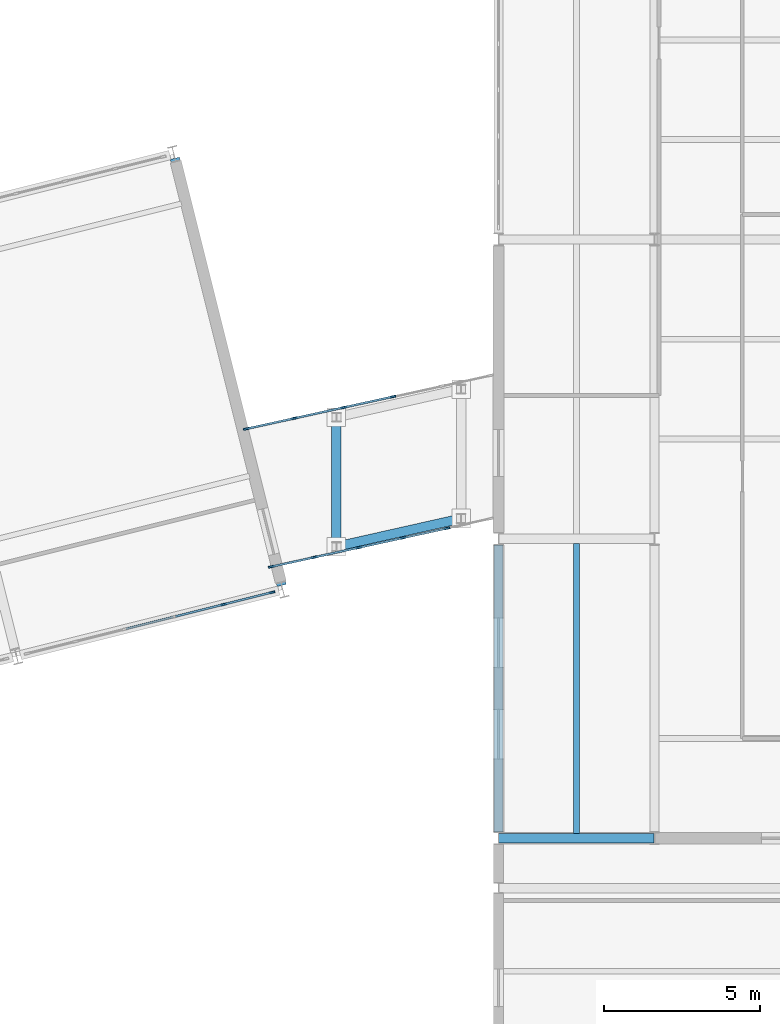
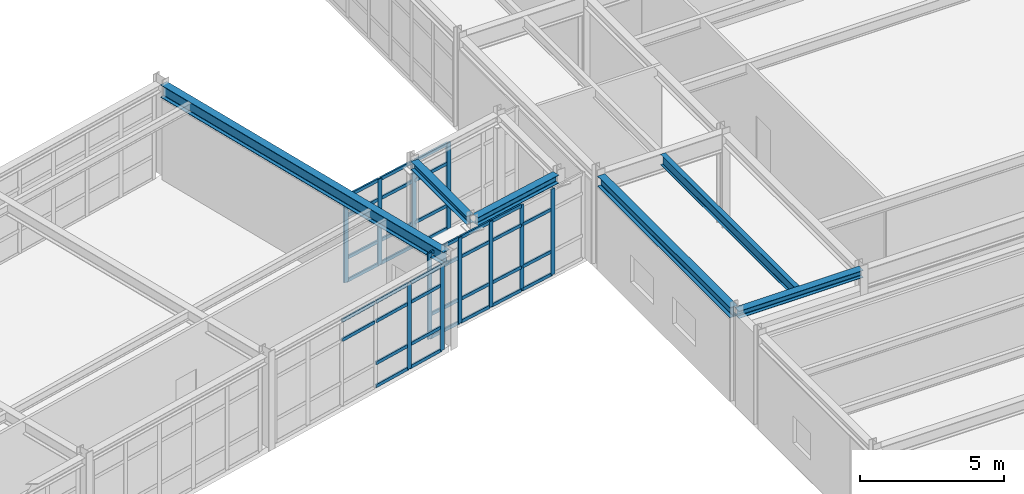
# One storey, part 32 of 99: 48 members, 6 beams, 3 elements without a shape of their own.
"""IFC4 building model written with IfcOpenShell, lengths in metres."""

from ifc_helpers import new_model, si_unit, direction, frame, origin, origin_2d, place, context, subcontext, project, spatial, rectangle, i_section, extrude, material, layer, layer_set, material_profile, profile_set, type_object, element, aggregate, save


model = new_model("IFC4")

# Units and contexts
model_context = context("Model", 3, precision=1e-05, world=origin(), true_north=direction((0.0, 1.0)))
body_context = subcontext(model_context, "Body", "Model", "MODEL_VIEW")
ifc_project = project(units=[si_unit("LENGTHUNIT", "METRE"), si_unit("AREAUNIT", "SQUARE_METRE"), si_unit("VOLUMEUNIT", "CUBIC_METRE"), si_unit("PLANEANGLEUNIT", "RADIAN"), si_unit("MASSUNIT", "GRAM", prefix="KILO")], contexts=[model_context])

# Site, building, storey
site_placement = place(None, origin())
site = spatial("IfcSite", under=ifc_project, at=site_placement, CompositionType="ELEMENT")
building_placement = place(site_placement, origin())
building = spatial("IfcBuilding", under=site, at=building_placement, Name="Nordkorset Police Headquarters", CompositionType="ELEMENT")
storey_placement = place(building_placement, frame((0.0, 0.0, 5.25)))
storey = spatial("IfcBuildingStorey", under=building, at=storey_placement, Name="L01", CompositionType="ELEMENT", Elevation=5.25)

# Beam
ifc_material_1 = material(Name="Steel S355J2", Category="steel")
ifc_material_profile_1 = material_profile(ifc_material_1, i_section(OverallWidth=0.18994140625, OverallDepth=0.449951171875, WebThickness=0.009521484375, FlangeThickness=0.0146484375, FilletRadius=0.02099609375, at=origin_2d()), Name="IPE 450")
ifc_profile_set_1 = profile_set([ifc_material_profile_1], Name="Steel S355J2")
beam_type_1 = type_object("IfcBeamType", Name="Beam_IPE_450", PredefinedType="BEAM", material=ifc_profile_set_1)
beam_1_placement = place(storey_placement, frame((88.89990234375, 48.14990234375, 3.735107421875), z_axis=(0.0, 1.0, 0.0), x_axis=(-1.0, 0.0, 0.0)))
element("IfcBeam", 1, at=beam_1_placement, inside=storey, type_object=beam_type_1, Name="Composite Floor Beam V5 L01 0-0-1", PredefinedType="BEAM", context=body_context, shape_type="SweptSolid", body=[
    extrude(i_section(OverallWidth=0.18994140625, OverallDepth=0.449951171875, WebThickness=0.009521484375, FlangeThickness=0.0146484375, FilletRadius=0.02099609375, at=origin_2d()), origin(), (0.0, 0.0, 1.0), 9.300048828125),
])

# Curtain wall, members
ifc_material_2 = material(Name="Aluminium alloy AW-6060", Category="aluminium")
ifc_layer_1 = layer(ifc_material_2, 0.179931640625, Name="Aluminium alloy AW-6060")
ifc_layer_set_1 = layer_set([ifc_layer_1], Name="Aluminium alloy AW-6060")
curtain_wall_type_1 = type_object("IfcCurtainWallType", Name="CW_Unit_816x363", PredefinedType="USERDEFINED", material=ifc_layer_set_1)
curtain_wall_1_placement = place(storey_placement, origin())
curtain_wall_1 = element("IfcCurtainWall", 2, at=curtain_wall_1_placement, inside=storey, type_object=curtain_wall_type_1, Name="Unitised Curtain Wall L01 V4S-5", ObjectType="UNITISED CURTAIN WALL", PredefinedType="USERDEFINED")
ifc_material_3 = material(Name="Aluminium alloy AW-6060", Category="aluminium")
ifc_material_profile_2 = material_profile(ifc_material_3, rectangle(XDim=0.06494140625, YDim=0.179931640625, at=origin_2d()), Name="ALU MULL 65x180")
ifc_profile_set_2 = profile_set([ifc_material_profile_2], Name="Aluminium alloy AW-6060")
member_type_1 = type_object("IfcMemberType", Name="CW_Mullion_65x180", PredefinedType="MULLION", material=ifc_profile_set_2)
member_1_placement = place(storey_placement, frame((77.58642578125, 55.49658203125, 0.0), z_axis=(0.0, 0.0, 1.0), x_axis=(-0.242535625038, 0.970142500145, 0.0)))
member_1 = element("IfcMember", 3, at=member_1_placement, type_object=member_type_1, Name="CW-34 mullion 5", PredefinedType="MULLION", context=body_context, shape_type="SweptSolid", body=[
    extrude(rectangle(XDim=0.06494140625, YDim=0.179931640625, at=origin_2d()), origin(), (0.0, 0.0, 1.0), 3.6298828125),
])
member_2_placement = place(storey_placement, frame((79.13818359375, 55.884521484375, 0.0), z_axis=(0.0, 0.0, 1.0), x_axis=(-0.242535625038, 0.970142500145, 0.0)))
member_2 = element("IfcMember", 4, at=member_2_placement, type_object=member_type_1, Name="CW-34 mullion 6", PredefinedType="MULLION", context=body_context, shape_type="SweptSolid", body=[
    extrude(rectangle(XDim=0.06494140625, YDim=0.179931640625, at=origin_2d()), origin(), (0.0, 0.0, 1.0), 3.6298828125),
])

ifc_material_4 = material(Name="Aluminium alloy AW-6060", Category="aluminium")
ifc_layer_2 = layer(ifc_material_4, 0.179931640625, Name="Aluminium alloy AW-6060")
ifc_layer_set_2 = layer_set([ifc_layer_2], Name="Aluminium alloy AW-6060")
curtain_wall_type_2 = type_object("IfcCurtainWallType", Name="CW_Unit_727x364", PredefinedType="USERDEFINED", material=ifc_layer_set_2)
curtain_wall_2_placement = place(storey_placement, origin())
curtain_wall_2 = element("IfcCurtainWall", 5, at=curtain_wall_2_placement, inside=storey, type_object=curtain_wall_type_2, Name="Unitised Curtain Wall L01 BRGE-S", ObjectType="UNITISED CURTAIN WALL", PredefinedType="USERDEFINED")
member_3_placement = place(storey_placement, frame((79.107666015625, 56.705322265625, 0.0), z_axis=(0.0, 0.0, 1.0), x_axis=(-0.213736608425, 0.976891325695, 0.0)))
member_3 = element("IfcMember", 6, at=member_3_placement, type_object=member_type_1, Name="CW-07 mullion 1", PredefinedType="MULLION", context=body_context, shape_type="SweptSolid", body=[
    extrude(rectangle(XDim=0.06494140625, YDim=0.179931640625, at=origin_2d()), origin(), (0.0, 0.0, 1.0), 3.635009765625),
])
member_4_placement = place(storey_placement, frame((80.49560546875, 57.009033203125, 0.0), z_axis=(0.0, 0.0, 1.0), x_axis=(-0.213736608425, 0.976891325695, 0.0)))
member_4 = element("IfcMember", 7, at=member_4_placement, type_object=member_type_1, Name="CW-07 mullion 2", PredefinedType="MULLION", context=body_context, shape_type="SweptSolid", body=[
    extrude(rectangle(XDim=0.06494140625, YDim=0.179931640625, at=origin_2d()), origin(), (0.0, 0.0, 1.0), 3.635009765625),
])
member_5_placement = place(storey_placement, frame((81.915283203125, 57.319580078125, 0.0), z_axis=(0.0, 0.0, 1.0), x_axis=(-0.213736608425, 0.976891325695, 0.0)))
member_5 = element("IfcMember", 8, at=member_5_placement, type_object=member_type_1, Name="CW-07 mullion 3", PredefinedType="MULLION", context=body_context, shape_type="SweptSolid", body=[
    extrude(rectangle(XDim=0.06494140625, YDim=0.179931640625, at=origin_2d()), origin(), (0.0, 0.0, 1.0), 3.635009765625),
])
member_6_placement = place(storey_placement, frame((83.334716796875, 57.63037109375, 0.0), z_axis=(0.0, 0.0, 1.0), x_axis=(-0.213736608425, 0.976891325695, 0.0)))
member_6 = element("IfcMember", 9, at=member_6_placement, type_object=member_type_1, Name="CW-07 mullion 4", PredefinedType="MULLION", context=body_context, shape_type="SweptSolid", body=[
    extrude(rectangle(XDim=0.06494140625, YDim=0.179931640625, at=origin_2d()), origin(), (0.0, 0.0, 1.0), 3.635009765625),
])
member_7_placement = place(storey_placement, frame((84.75439453125, 57.94091796875, 0.0), z_axis=(0.0, 0.0, 1.0), x_axis=(-0.213736608425, 0.976891325695, 0.0)))
member_7 = element("IfcMember", 10, at=member_7_placement, type_object=member_type_1, Name="CW-07 mullion 5", PredefinedType="MULLION", context=body_context, shape_type="SweptSolid", body=[
    extrude(rectangle(XDim=0.06494140625, YDim=0.179931640625, at=origin_2d()), origin(), (0.0, 0.0, 1.0), 3.635009765625),
])

ifc_material_5 = material(Name="Aluminium alloy AW-6060", Category="aluminium")
ifc_layer_3 = layer(ifc_material_5, 0.179931640625, Name="Aluminium alloy AW-6060")
ifc_layer_set_3 = layer_set([ifc_layer_3], Name="Aluminium alloy AW-6060")
curtain_wall_type_3 = type_object("IfcCurtainWallType", Name="CW_Unit_809x364", PredefinedType="USERDEFINED", material=ifc_layer_set_3)
curtain_wall_3_placement = place(storey_placement, origin())
curtain_wall_3 = element("IfcCurtainWall", 11, at=curtain_wall_3_placement, inside=storey, type_object=curtain_wall_type_3, Name="Unitised Curtain Wall L01 BRGE-N", ObjectType="UNITISED CURTAIN WALL", PredefinedType="USERDEFINED")
member_8_placement = place(storey_placement, frame((78.3076171875, 61.12548828125, 0.0), z_axis=(0.0, 0.0, 1.0), x_axis=(-0.214298001706, 0.976768327939, 0.0)))
member_8 = element("IfcMember", 12, at=member_8_placement, type_object=member_type_1, Name="CW-40 mullion 1", PredefinedType="MULLION", context=body_context, shape_type="SweptSolid", body=[
    extrude(rectangle(XDim=0.06494140625, YDim=0.179931640625, at=origin_2d()), origin(), (0.0, 0.0, 1.0), 3.635009765625),
])
member_9_placement = place(storey_placement, frame((79.85546875, 61.465087890625, 0.0), z_axis=(0.0, 0.0, 1.0), x_axis=(-0.214298001706, 0.976768327939, 0.0)))
member_9 = element("IfcMember", 13, at=member_9_placement, type_object=member_type_1, Name="CW-40 mullion 2", PredefinedType="MULLION", context=body_context, shape_type="SweptSolid", body=[
    extrude(rectangle(XDim=0.06494140625, YDim=0.179931640625, at=origin_2d()), origin(), (0.0, 0.0, 1.0), 3.635009765625),
])
member_10_placement = place(storey_placement, frame((81.43505859375, 61.811767578125, 0.0), z_axis=(0.0, 0.0, 1.0), x_axis=(-0.214298001706, 0.976768327939, 0.0)))
member_10 = element("IfcMember", 14, at=member_10_placement, type_object=member_type_1, Name="CW-40 mullion 3", PredefinedType="MULLION", context=body_context, shape_type="SweptSolid", body=[
    extrude(rectangle(XDim=0.06494140625, YDim=0.179931640625, at=origin_2d()), origin(), (0.0, 0.0, 1.0), 3.635009765625),
])
member_11_placement = place(storey_placement, frame((83.014892578125, 62.158203125, 0.0), z_axis=(0.0, 0.0, 1.0), x_axis=(-0.214298001706, 0.976768327939, 0.0)))
member_11 = element("IfcMember", 15, at=member_11_placement, type_object=member_type_1, Name="CW-40 mullion 4", PredefinedType="MULLION", context=body_context, shape_type="SweptSolid", body=[
    extrude(rectangle(XDim=0.06494140625, YDim=0.179931640625, at=origin_2d()), origin(), (0.0, 0.0, 1.0), 3.635009765625),
])

# Member
ifc_material_6 = material(Name="Aluminium alloy AW-6060", Category="aluminium")
ifc_material_profile_3 = material_profile(ifc_material_6, rectangle(XDim=0.06494140625, YDim=0.139892578125, at=origin_2d()), Name="ALU TRAN 65x140")
ifc_profile_set_3 = profile_set([ifc_material_profile_3], Name="Aluminium alloy AW-6060")
member_type_2 = type_object("IfcMemberType", Name="CW_Transom_65x140", PredefinedType="USERDEFINED", material=ifc_profile_set_3)
member_12_placement = place(storey_placement, frame((74.451416015625, 54.712890625, 2.780029296875), z_axis=(0.970133335061, 0.24257228243, 0.0), x_axis=(-0.24257228243, 0.970133335061, 0.0)))
member_12 = element("IfcMember", 16, at=member_12_placement, type_object=member_type_2, Name="CW-34 transom 3.3", ObjectType="TRANSOM", PredefinedType="USERDEFINED", context=body_context, shape_type="SweptSolid", body=[
    extrude(rectangle(XDim=0.06494140625, YDim=0.139892578125, at=origin_2d()), origin(), (0.0, 0.0, 1.0), 1.567138671875),
])

member_13_placement = place(storey_placement, frame((74.451416015625, 54.712890625, 3.597412109375), z_axis=(0.970133335061, 0.24257228243, 0.0), x_axis=(-0.24257228243, 0.970133335061, 0.0)))
member_13 = element("IfcMember", 17, at=member_13_placement, type_object=member_type_2, Name="CW-34 transom 3.4", ObjectType="TRANSOM", PredefinedType="USERDEFINED", context=body_context, shape_type="SweptSolid", body=[
    extrude(rectangle(XDim=0.06494140625, YDim=0.139892578125, at=origin_2d()), origin(), (0.0, 0.0, 1.0), 1.567138671875),
])

member_14_placement = place(storey_placement, frame((76.03466796875, 55.108642578125, 0.032470703125), z_axis=(0.970133335061, 0.24257228243, 0.0), x_axis=(-0.24257228243, 0.970133335061, 0.0)))
member_14 = element("IfcMember", 18, at=member_14_placement, type_object=member_type_2, Name="CW-34 transom 4.1", ObjectType="TRANSOM", PredefinedType="USERDEFINED", context=body_context, shape_type="SweptSolid", body=[
    extrude(rectangle(XDim=0.06494140625, YDim=0.139892578125, at=origin_2d()), origin(), (0.0, 0.0, 1.0), 1.567138671875),
])

member_15_placement = place(storey_placement, frame((76.03466796875, 55.108642578125, 1.0), z_axis=(0.970133335061, 0.24257228243, 0.0), x_axis=(-0.24257228243, 0.970133335061, 0.0)))
member_15 = element("IfcMember", 19, at=member_15_placement, type_object=member_type_2, Name="CW-34 transom 4.2", ObjectType="TRANSOM", PredefinedType="USERDEFINED", context=body_context, shape_type="SweptSolid", body=[
    extrude(rectangle(XDim=0.06494140625, YDim=0.139892578125, at=origin_2d()), origin(), (0.0, 0.0, 1.0), 1.567138671875),
])

member_16_placement = place(storey_placement, frame((76.03466796875, 55.108642578125, 2.780029296875), z_axis=(0.970133335061, 0.24257228243, 0.0), x_axis=(-0.24257228243, 0.970133335061, 0.0)))
member_16 = element("IfcMember", 20, at=member_16_placement, type_object=member_type_2, Name="CW-34 transom 4.3", ObjectType="TRANSOM", PredefinedType="USERDEFINED", context=body_context, shape_type="SweptSolid", body=[
    extrude(rectangle(XDim=0.06494140625, YDim=0.139892578125, at=origin_2d()), origin(), (0.0, 0.0, 1.0), 1.567138671875),
])

member_17_placement = place(storey_placement, frame((76.03466796875, 55.108642578125, 3.597412109375), z_axis=(0.970133335061, 0.24257228243, 0.0), x_axis=(-0.24257228243, 0.970133335061, 0.0)))
member_17 = element("IfcMember", 21, at=member_17_placement, type_object=member_type_2, Name="CW-34 transom 4.4", ObjectType="TRANSOM", PredefinedType="USERDEFINED", context=body_context, shape_type="SweptSolid", body=[
    extrude(rectangle(XDim=0.06494140625, YDim=0.139892578125, at=origin_2d()), origin(), (0.0, 0.0, 1.0), 1.567138671875),
])

member_18_placement = place(storey_placement, frame((77.617919921875, 55.50439453125, 0.032470703125), z_axis=(0.970123780922, 0.242610489653, 0.0), x_axis=(-0.242610489653, 0.970123780922, 0.0)))
member_18 = element("IfcMember", 22, at=member_18_placement, type_object=member_type_2, Name="CW-34 transom 5.1", ObjectType="TRANSOM", PredefinedType="USERDEFINED", context=body_context, shape_type="SweptSolid", body=[
    extrude(rectangle(XDim=0.06494140625, YDim=0.139892578125, at=origin_2d()), origin(), (0.0, 0.0, 1.0), 1.53466796875),
])

member_19_placement = place(storey_placement, frame((77.617919921875, 55.50439453125, 1.0), z_axis=(0.970123780922, 0.242610489653, 0.0), x_axis=(-0.242610489653, 0.970123780922, 0.0)))
member_19 = element("IfcMember", 23, at=member_19_placement, type_object=member_type_2, Name="CW-34 transom 5.2", ObjectType="TRANSOM", PredefinedType="USERDEFINED", context=body_context, shape_type="SweptSolid", body=[
    extrude(rectangle(XDim=0.06494140625, YDim=0.139892578125, at=origin_2d()), origin(), (0.0, 0.0, 1.0), 1.53466796875),
])

member_20_placement = place(storey_placement, frame((77.617919921875, 55.50439453125, 2.780029296875), z_axis=(0.970123780922, 0.242610489653, 0.0), x_axis=(-0.242610489653, 0.970123780922, 0.0)))
member_20 = element("IfcMember", 24, at=member_20_placement, type_object=member_type_2, Name="CW-34 transom 5.3", ObjectType="TRANSOM", PredefinedType="USERDEFINED", context=body_context, shape_type="SweptSolid", body=[
    extrude(rectangle(XDim=0.06494140625, YDim=0.139892578125, at=origin_2d()), origin(), (0.0, 0.0, 1.0), 1.53466796875),
])

member_21_placement = place(storey_placement, frame((77.617919921875, 55.50439453125, 3.597412109375), z_axis=(0.970123780922, 0.242610489653, 0.0), x_axis=(-0.242610489653, 0.970123780922, 0.0)))
member_21 = element("IfcMember", 25, at=member_21_placement, type_object=member_type_2, Name="CW-34 transom 5.4", ObjectType="TRANSOM", PredefinedType="USERDEFINED", context=body_context, shape_type="SweptSolid", body=[
    extrude(rectangle(XDim=0.06494140625, YDim=0.139892578125, at=origin_2d()), origin(), (0.0, 0.0, 1.0), 1.53466796875),
])

aggregate(curtain_wall_1, [member_1, member_2, member_12, member_13, member_14, member_15, member_16, member_17, member_18, member_19, member_20, member_21])

member_22_placement = place(storey_placement, frame((79.139404296875, 56.71240234375, 0.032470703125), z_axis=(0.976889443486, 0.213745210953, 0.0), x_axis=(-0.213745210953, 0.976889443486, 0.0)))
member_22 = element("IfcMember", 26, at=member_22_placement, type_object=member_type_2, Name="CW-07 transom 1.1", ObjectType="TRANSOM", PredefinedType="USERDEFINED", context=body_context, shape_type="SweptSolid", body=[
    extrude(rectangle(XDim=0.06494140625, YDim=0.139892578125, at=origin_2d()), origin(), (0.0, 0.0, 1.0), 1.355712890625),
])

member_23_placement = place(storey_placement, frame((79.139404296875, 56.71240234375, 1.0), z_axis=(0.976889443486, 0.213745210953, 0.0), x_axis=(-0.213745210953, 0.976889443486, 0.0)))
member_23 = element("IfcMember", 27, at=member_23_placement, type_object=member_type_2, Name="CW-07 transom 1.2", ObjectType="TRANSOM", PredefinedType="USERDEFINED", context=body_context, shape_type="SweptSolid", body=[
    extrude(rectangle(XDim=0.06494140625, YDim=0.139892578125, at=origin_2d()), origin(), (0.0, 0.0, 1.0), 1.355712890625),
])

member_24_placement = place(storey_placement, frame((79.139404296875, 56.71240234375, 2.784912109375), z_axis=(0.976889443486, 0.213745210953, 0.0), x_axis=(-0.213745210953, 0.976889443486, 0.0)))
member_24 = element("IfcMember", 28, at=member_24_placement, type_object=member_type_2, Name="CW-07 transom 1.3", ObjectType="TRANSOM", PredefinedType="USERDEFINED", context=body_context, shape_type="SweptSolid", body=[
    extrude(rectangle(XDim=0.06494140625, YDim=0.139892578125, at=origin_2d()), origin(), (0.0, 0.0, 1.0), 1.355712890625),
])

member_25_placement = place(storey_placement, frame((79.139404296875, 56.71240234375, 3.6025390625), z_axis=(0.976889443486, 0.213745210953, 0.0), x_axis=(-0.213745210953, 0.976889443486, 0.0)))
member_25 = element("IfcMember", 29, at=member_25_placement, type_object=member_type_2, Name="CW-07 transom 1.4", ObjectType="TRANSOM", PredefinedType="USERDEFINED", context=body_context, shape_type="SweptSolid", body=[
    extrude(rectangle(XDim=0.06494140625, YDim=0.139892578125, at=origin_2d()), origin(), (0.0, 0.0, 1.0), 1.355712890625),
])

member_26_placement = place(storey_placement, frame((80.52734375, 57.01611328125, 0.032470703125), z_axis=(0.976897722399, 0.213707369952, 0.0), x_axis=(-0.213707369952, 0.976897722399, 0.0)))
member_26 = element("IfcMember", 30, at=member_26_placement, type_object=member_type_2, Name="CW-07 transom 2.1", ObjectType="TRANSOM", PredefinedType="USERDEFINED", context=body_context, shape_type="SweptSolid", body=[
    extrude(rectangle(XDim=0.06494140625, YDim=0.139892578125, at=origin_2d()), origin(), (0.0, 0.0, 1.0), 1.387939453125),
])

member_27_placement = place(storey_placement, frame((80.52734375, 57.01611328125, 1.0), z_axis=(0.976897722399, 0.213707369952, 0.0), x_axis=(-0.213707369952, 0.976897722399, 0.0)))
member_27 = element("IfcMember", 31, at=member_27_placement, type_object=member_type_2, Name="CW-07 transom 2.2", ObjectType="TRANSOM", PredefinedType="USERDEFINED", context=body_context, shape_type="SweptSolid", body=[
    extrude(rectangle(XDim=0.06494140625, YDim=0.139892578125, at=origin_2d()), origin(), (0.0, 0.0, 1.0), 1.387939453125),
])

member_28_placement = place(storey_placement, frame((80.52734375, 57.01611328125, 2.784912109375), z_axis=(0.976897722399, 0.213707369952, 0.0), x_axis=(-0.213707369952, 0.976897722399, 0.0)))
member_28 = element("IfcMember", 32, at=member_28_placement, type_object=member_type_2, Name="CW-07 transom 2.3", ObjectType="TRANSOM", PredefinedType="USERDEFINED", context=body_context, shape_type="SweptSolid", body=[
    extrude(rectangle(XDim=0.06494140625, YDim=0.139892578125, at=origin_2d()), origin(), (0.0, 0.0, 1.0), 1.387939453125),
])

member_29_placement = place(storey_placement, frame((80.52734375, 57.01611328125, 3.6025390625), z_axis=(0.976897722399, 0.213707369952, 0.0), x_axis=(-0.213707369952, 0.976897722399, 0.0)))
member_29 = element("IfcMember", 33, at=member_29_placement, type_object=member_type_2, Name="CW-07 transom 2.4", ObjectType="TRANSOM", PredefinedType="USERDEFINED", context=body_context, shape_type="SweptSolid", body=[
    extrude(rectangle(XDim=0.06494140625, YDim=0.139892578125, at=origin_2d()), origin(), (0.0, 0.0, 1.0), 1.387939453125),
])

member_30_placement = place(storey_placement, frame((81.947021484375, 57.32666015625, 0.032470703125), z_axis=(0.976897722399, 0.213707369952, 0.0), x_axis=(-0.213707369952, 0.976897722399, 0.0)))
member_30 = element("IfcMember", 34, at=member_30_placement, type_object=member_type_2, Name="CW-07 transom 3.1", ObjectType="TRANSOM", PredefinedType="USERDEFINED", context=body_context, shape_type="SweptSolid", body=[
    extrude(rectangle(XDim=0.06494140625, YDim=0.139892578125, at=origin_2d()), origin(), (0.0, 0.0, 1.0), 1.387939453125),
])

member_31_placement = place(storey_placement, frame((81.947021484375, 57.32666015625, 1.0), z_axis=(0.976897722399, 0.213707369952, 0.0), x_axis=(-0.213707369952, 0.976897722399, 0.0)))
member_31 = element("IfcMember", 35, at=member_31_placement, type_object=member_type_2, Name="CW-07 transom 3.2", ObjectType="TRANSOM", PredefinedType="USERDEFINED", context=body_context, shape_type="SweptSolid", body=[
    extrude(rectangle(XDim=0.06494140625, YDim=0.139892578125, at=origin_2d()), origin(), (0.0, 0.0, 1.0), 1.387939453125),
])

member_32_placement = place(storey_placement, frame((81.947021484375, 57.32666015625, 2.784912109375), z_axis=(0.976897722399, 0.213707369952, 0.0), x_axis=(-0.213707369952, 0.976897722399, 0.0)))
member_32 = element("IfcMember", 36, at=member_32_placement, type_object=member_type_2, Name="CW-07 transom 3.3", ObjectType="TRANSOM", PredefinedType="USERDEFINED", context=body_context, shape_type="SweptSolid", body=[
    extrude(rectangle(XDim=0.06494140625, YDim=0.139892578125, at=origin_2d()), origin(), (0.0, 0.0, 1.0), 1.387939453125),
])

member_33_placement = place(storey_placement, frame((81.947021484375, 57.32666015625, 3.6025390625), z_axis=(0.976897722399, 0.213707369952, 0.0), x_axis=(-0.213707369952, 0.976897722399, 0.0)))
member_33 = element("IfcMember", 37, at=member_33_placement, type_object=member_type_2, Name="CW-07 transom 3.4", ObjectType="TRANSOM", PredefinedType="USERDEFINED", context=body_context, shape_type="SweptSolid", body=[
    extrude(rectangle(XDim=0.06494140625, YDim=0.139892578125, at=origin_2d()), origin(), (0.0, 0.0, 1.0), 1.387939453125),
])

member_34_placement = place(storey_placement, frame((83.36669921875, 57.63720703125, 0.032470703125), z_axis=(0.976860988586, 0.213875218243, 0.0), x_axis=(-0.213875218243, 0.976860988586, 0.0)))
member_34 = element("IfcMember", 38, at=member_34_placement, type_object=member_type_2, Name="CW-07 transom 4.1", ObjectType="TRANSOM", PredefinedType="USERDEFINED", context=body_context, shape_type="SweptSolid", body=[
    extrude(rectangle(XDim=0.06494140625, YDim=0.139892578125, at=origin_2d()), origin(), (0.0, 0.0, 1.0), 1.38818359375),
])

member_35_placement = place(storey_placement, frame((83.36669921875, 57.63720703125, 1.0), z_axis=(0.976860988586, 0.213875218243, 0.0), x_axis=(-0.213875218243, 0.976860988586, 0.0)))
member_35 = element("IfcMember", 39, at=member_35_placement, type_object=member_type_2, Name="CW-07 transom 4.2", ObjectType="TRANSOM", PredefinedType="USERDEFINED", context=body_context, shape_type="SweptSolid", body=[
    extrude(rectangle(XDim=0.06494140625, YDim=0.139892578125, at=origin_2d()), origin(), (0.0, 0.0, 1.0), 1.38818359375),
])

member_36_placement = place(storey_placement, frame((83.36669921875, 57.63720703125, 2.784912109375), z_axis=(0.976860988586, 0.213875218243, 0.0), x_axis=(-0.213875218243, 0.976860988586, 0.0)))
member_36 = element("IfcMember", 40, at=member_36_placement, type_object=member_type_2, Name="CW-07 transom 4.3", ObjectType="TRANSOM", PredefinedType="USERDEFINED", context=body_context, shape_type="SweptSolid", body=[
    extrude(rectangle(XDim=0.06494140625, YDim=0.139892578125, at=origin_2d()), origin(), (0.0, 0.0, 1.0), 1.38818359375),
])

aggregate(curtain_wall_2, [member_3, member_4, member_5, member_6, member_7, member_22, member_23, member_24, member_25, member_26, member_27, member_28, member_29, member_30, member_31, member_32, member_33, member_34, member_35, member_36])

member_37_placement = place(storey_placement, frame((78.33935546875, 61.132568359375, 0.032470703125), z_axis=(0.976765673538, 0.214310100082, 0.0), x_axis=(-0.214310100082, 0.976765673538, 0.0)))
member_37 = element("IfcMember", 41, at=member_37_placement, type_object=member_type_2, Name="CW-40 transom 1.1", ObjectType="TRANSOM", PredefinedType="USERDEFINED", context=body_context, shape_type="SweptSolid", body=[
    extrude(rectangle(XDim=0.06494140625, YDim=0.139892578125, at=origin_2d()), origin(), (0.0, 0.0, 1.0), 1.519775390625),
])

member_38_placement = place(storey_placement, frame((78.33935546875, 61.132568359375, 1.0), z_axis=(0.976765673538, 0.214310100082, 0.0), x_axis=(-0.214310100082, 0.976765673538, 0.0)))
member_38 = element("IfcMember", 42, at=member_38_placement, type_object=member_type_2, Name="CW-40 transom 1.2", ObjectType="TRANSOM", PredefinedType="USERDEFINED", context=body_context, shape_type="SweptSolid", body=[
    extrude(rectangle(XDim=0.06494140625, YDim=0.139892578125, at=origin_2d()), origin(), (0.0, 0.0, 1.0), 1.519775390625),
])

member_39_placement = place(storey_placement, frame((78.33935546875, 61.132568359375, 2.784912109375), z_axis=(0.976765673538, 0.214310100082, 0.0), x_axis=(-0.214310100082, 0.976765673538, 0.0)))
member_39 = element("IfcMember", 43, at=member_39_placement, type_object=member_type_2, Name="CW-40 transom 1.3", ObjectType="TRANSOM", PredefinedType="USERDEFINED", context=body_context, shape_type="SweptSolid", body=[
    extrude(rectangle(XDim=0.06494140625, YDim=0.139892578125, at=origin_2d()), origin(), (0.0, 0.0, 1.0), 1.519775390625),
])

member_40_placement = place(storey_placement, frame((78.33935546875, 61.132568359375, 3.6025390625), z_axis=(0.976765673538, 0.214310100082, 0.0), x_axis=(-0.214310100082, 0.976765673538, 0.0)))
member_40 = element("IfcMember", 44, at=member_40_placement, type_object=member_type_2, Name="CW-40 transom 1.4", ObjectType="TRANSOM", PredefinedType="USERDEFINED", context=body_context, shape_type="SweptSolid", body=[
    extrude(rectangle(XDim=0.06494140625, YDim=0.139892578125, at=origin_2d()), origin(), (0.0, 0.0, 1.0), 1.519775390625),
])

member_41_placement = place(storey_placement, frame((79.88720703125, 61.47216796875, 0.032470703125), z_axis=(0.976782891569, 0.214231610035, 0.0), x_axis=(-0.214231610035, 0.976782891569, 0.0)))
member_41 = element("IfcMember", 45, at=member_41_placement, type_object=member_type_2, Name="CW-40 transom 2.1", ObjectType="TRANSOM", PredefinedType="USERDEFINED", context=body_context, shape_type="SweptSolid", body=[
    extrude(rectangle(XDim=0.06494140625, YDim=0.139892578125, at=origin_2d()), origin(), (0.0, 0.0, 1.0), 1.55224609375),
])

member_42_placement = place(storey_placement, frame((79.88720703125, 61.47216796875, 1.0), z_axis=(0.976782891569, 0.214231610035, 0.0), x_axis=(-0.214231610035, 0.976782891569, 0.0)))
member_42 = element("IfcMember", 46, at=member_42_placement, type_object=member_type_2, Name="CW-40 transom 2.2", ObjectType="TRANSOM", PredefinedType="USERDEFINED", context=body_context, shape_type="SweptSolid", body=[
    extrude(rectangle(XDim=0.06494140625, YDim=0.139892578125, at=origin_2d()), origin(), (0.0, 0.0, 1.0), 1.55224609375),
])

member_43_placement = place(storey_placement, frame((79.88720703125, 61.47216796875, 2.784912109375), z_axis=(0.976782891569, 0.214231610035, 0.0), x_axis=(-0.214231610035, 0.976782891569, 0.0)))
member_43 = element("IfcMember", 47, at=member_43_placement, type_object=member_type_2, Name="CW-40 transom 2.3", ObjectType="TRANSOM", PredefinedType="USERDEFINED", context=body_context, shape_type="SweptSolid", body=[
    extrude(rectangle(XDim=0.06494140625, YDim=0.139892578125, at=origin_2d()), origin(), (0.0, 0.0, 1.0), 1.55224609375),
])

member_44_placement = place(storey_placement, frame((79.88720703125, 61.47216796875, 3.6025390625), z_axis=(0.976782891569, 0.214231610035, 0.0), x_axis=(-0.214231610035, 0.976782891569, 0.0)))
member_44 = element("IfcMember", 48, at=member_44_placement, type_object=member_type_2, Name="CW-40 transom 2.4", ObjectType="TRANSOM", PredefinedType="USERDEFINED", context=body_context, shape_type="SweptSolid", body=[
    extrude(rectangle(XDim=0.06494140625, YDim=0.139892578125, at=origin_2d()), origin(), (0.0, 0.0, 1.0), 1.55224609375),
])

member_45_placement = place(storey_placement, frame((81.466796875, 61.818603515625, 0.032470703125), z_axis=(0.976757193741, 0.21434874498, 0.0), x_axis=(-0.21434874498, 0.976757193741, 0.0)))
member_45 = element("IfcMember", 49, at=member_45_placement, type_object=member_type_2, Name="CW-40 transom 3.1", ObjectType="TRANSOM", PredefinedType="USERDEFINED", context=body_context, shape_type="SweptSolid", body=[
    extrude(rectangle(XDim=0.06494140625, YDim=0.139892578125, at=origin_2d()), origin(), (0.0, 0.0, 1.0), 1.552490234375),
])

member_46_placement = place(storey_placement, frame((81.466796875, 61.818603515625, 1.0), z_axis=(0.976757193741, 0.21434874498, 0.0), x_axis=(-0.21434874498, 0.976757193741, 0.0)))
member_46 = element("IfcMember", 50, at=member_46_placement, type_object=member_type_2, Name="CW-40 transom 3.2", ObjectType="TRANSOM", PredefinedType="USERDEFINED", context=body_context, shape_type="SweptSolid", body=[
    extrude(rectangle(XDim=0.06494140625, YDim=0.139892578125, at=origin_2d()), origin(), (0.0, 0.0, 1.0), 1.552490234375),
])

member_47_placement = place(storey_placement, frame((81.466796875, 61.818603515625, 2.784912109375), z_axis=(0.976757193741, 0.21434874498, 0.0), x_axis=(-0.21434874498, 0.976757193741, 0.0)))
member_47 = element("IfcMember", 51, at=member_47_placement, type_object=member_type_2, Name="CW-40 transom 3.3", ObjectType="TRANSOM", PredefinedType="USERDEFINED", context=body_context, shape_type="SweptSolid", body=[
    extrude(rectangle(XDim=0.06494140625, YDim=0.139892578125, at=origin_2d()), origin(), (0.0, 0.0, 1.0), 1.552490234375),
])

member_48_placement = place(storey_placement, frame((81.466796875, 61.818603515625, 3.6025390625), z_axis=(0.976757193741, 0.21434874498, 0.0), x_axis=(-0.21434874498, 0.976757193741, 0.0)))
member_48 = element("IfcMember", 52, at=member_48_placement, type_object=member_type_2, Name="CW-40 transom 3.4", ObjectType="TRANSOM", PredefinedType="USERDEFINED", context=body_context, shape_type="SweptSolid", body=[
    extrude(rectangle(XDim=0.06494140625, YDim=0.139892578125, at=origin_2d()), origin(), (0.0, 0.0, 1.0), 1.552490234375),
])

aggregate(curtain_wall_3, [member_8, member_9, member_10, member_11, member_37, member_38, member_39, member_40, member_41, member_42, member_43, member_44, member_45, member_46, member_47, member_48])

# Beams
ifc_material_7 = material(Name="Steel S355J2", Category="steel")
ifc_material_profile_4 = material_profile(ifc_material_7, i_section(OverallWidth=0.300048828125, OverallDepth=0.35009765625, WebThickness=0.010009765625, FlangeThickness=0.017578125, FilletRadius=0.027099609375, at=origin_2d()), Name="HEA 360")
ifc_profile_set_4 = profile_set([ifc_material_profile_4], Name="Steel S355J2")
beam_type_2 = type_object("IfcBeamType", Name="Girder_HEA_360", PredefinedType="USERDEFINED", material=ifc_profile_set_4)
beam_2_placement = place(storey_placement, frame((81.346435546875, 57.3828125, 3.830078125), z_axis=(0.97560459612, 0.219535127095, 0.0), x_axis=(-0.219535127095, 0.97560459612, 0.0)))
element("IfcBeam", 53, at=beam_2_placement, inside=storey, type_object=beam_type_2, Name="Courtyard Link Bridge Girder BRG-E L01 0", ObjectType="GIRDER", PredefinedType="USERDEFINED", context=body_context, shape_type="SweptSolid", body=[
    extrude(i_section(OverallWidth=0.300048828125, OverallDepth=0.35009765625, WebThickness=0.010009765625, FlangeThickness=0.017578125, FilletRadius=0.027099609375, at=origin_2d()), origin(), (0.0, 0.0, 1.0), 3.800048828125),
])
beam_3_placement = place(storey_placement, frame((81.199951171875, 57.5, 3.830078125), z_axis=(0.0, 1.0, 0.0), x_axis=(-1.0, 0.0, 0.0)))
element("IfcBeam", 54, at=beam_3_placement, inside=storey, type_object=beam_type_2, Name="Courtyard Link Bridge Transverse Beam BRG-E L01 0", ObjectType="GIRDER", PredefinedType="USERDEFINED", context=body_context, shape_type="SweptSolid", body=[
    extrude(i_section(OverallWidth=0.300048828125, OverallDepth=0.35009765625, WebThickness=0.010009765625, FlangeThickness=0.017578125, FilletRadius=0.027099609375, at=origin_2d()), origin(), (0.0, 0.0, 1.0), 3.85009765625),
])
ifc_material_8 = material(Name="Steel S355J2", Category="steel")
ifc_material_profile_5 = material_profile(ifc_material_8, i_section(OverallWidth=0.300048828125, OverallDepth=0.43994140625, WebThickness=0.011474609375, FlangeThickness=0.02099609375, FilletRadius=0.027099609375, at=origin_2d()), Name="HEA 450")
ifc_profile_set_5 = profile_set([ifc_material_profile_5], Name="Steel S355J2")
beam_type_3 = type_object("IfcBeamType", Name="Girder_HEA_450", PredefinedType="USERDEFINED", material=ifc_profile_set_5)
beam_4_placement = place(storey_placement, frame((86.39990234375, 48.199951171875, 3.739990234375), z_axis=(0.0, 1.0, 0.0), x_axis=(-1.0, 0.0, 0.0)))
element("IfcBeam", 55, at=beam_4_placement, inside=storey, type_object=beam_type_3, Name="Girder V5 L01 GY-0-0", ObjectType="GIRDER", PredefinedType="USERDEFINED", context=body_context, shape_type="SweptSolid", body=[
    extrude(i_section(OverallWidth=0.300048828125, OverallDepth=0.43994140625, WebThickness=0.011474609375, FlangeThickness=0.02099609375, FilletRadius=0.027099609375, at=origin_2d()), origin(), (0.0, 0.0, 1.0), 9.199951171875),
])
ifc_material_9 = material(Name="Steel S355J2", Category="steel")
ifc_material_profile_6 = material_profile(ifc_material_9, i_section(OverallWidth=0.300048828125, OverallDepth=0.5400390625, WebThickness=0.012451171875, FlangeThickness=0.02392578125, FilletRadius=0.027099609375, at=origin_2d()), Name="HEA 550")
ifc_profile_set_6 = profile_set([ifc_material_profile_6], Name="Steel S355J2")
beam_type_4 = type_object("IfcBeamType", Name="Girder_HEA_550", PredefinedType="USERDEFINED", material=ifc_profile_set_6)
beam_5_placement = place(storey_placement, frame((79.4462890625, 56.10595703125, 3.68994140625), z_axis=(-0.242535625036, 0.970142500145, 0.0), x_axis=(-0.970142500145, -0.242535625036, 0.0)))
element("IfcBeam", 56, at=beam_5_placement, inside=storey, type_object=beam_type_4, Name="Splayed Wing Transverse Girder L01 6", ObjectType="GIRDER", PredefinedType="USERDEFINED", context=body_context, shape_type="SweptSolid", body=[
    extrude(i_section(OverallWidth=0.300048828125, OverallDepth=0.5400390625, WebThickness=0.012451171875, FlangeThickness=0.02392578125, FilletRadius=0.027099609375, at=origin_2d()), origin(), (0.0, 0.0, 1.0), 14.119873046875),
])
ifc_material_10 = material(Name="Steel S355J2", Category="steel")
ifc_material_profile_7 = material_profile(ifc_material_10, i_section(OverallWidth=0.300048828125, OverallDepth=0.31005859375, WebThickness=0.009033203125, FlangeThickness=0.015380859375, FilletRadius=0.027099609375, at=origin_2d()), Name="HEA 320")
ifc_profile_set_7 = profile_set([ifc_material_profile_7], Name="Steel S355J2")
beam_type_5 = type_object("IfcBeamType", Name="Spandrel_HEA_320", PredefinedType="SPANDREL", material=ifc_profile_set_7)
beam_6_placement = place(storey_placement, frame((86.40673828125, 48.0, 3.804931640625), z_axis=(1.0, 0.0, 0.0), x_axis=(0.0, 1.0, 0.0)))
element("IfcBeam", 57, at=beam_6_placement, inside=storey, type_object=beam_type_5, Name="Girder V5 L01 GX-0-0", PredefinedType="SPANDREL", context=body_context, shape_type="SweptSolid", body=[
    extrude(i_section(OverallWidth=0.300048828125, OverallDepth=0.31005859375, WebThickness=0.009033203125, FlangeThickness=0.015380859375, FilletRadius=0.027099609375, at=origin_2d()), origin(), (0.0, 0.0, 1.0), 4.986572265625),
])

save(model, "model.ifc")
